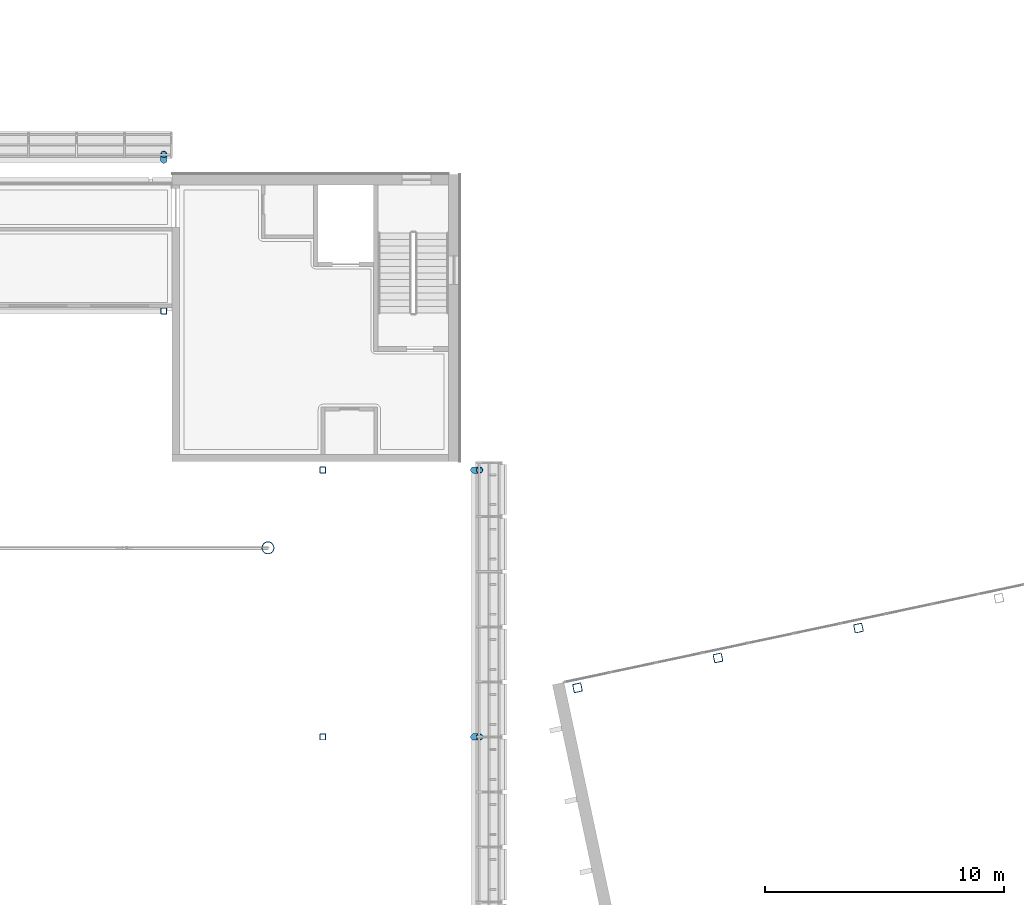
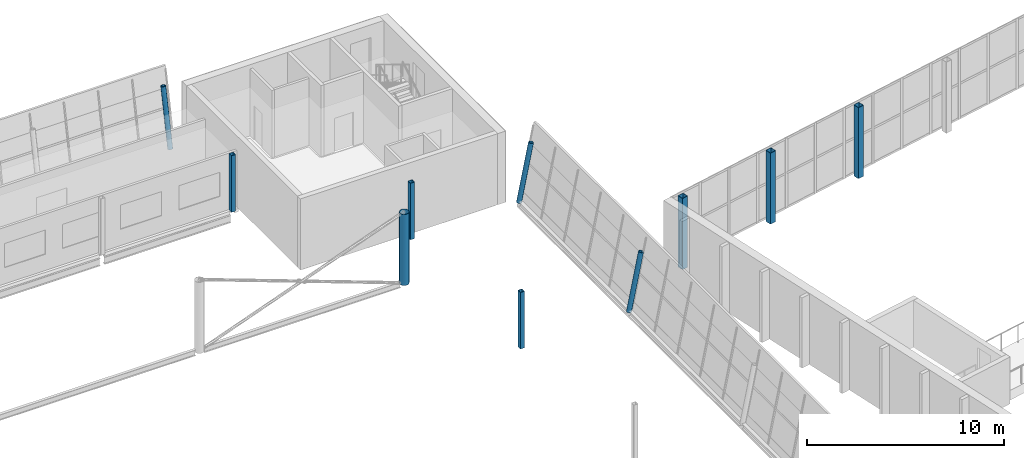
# One storey, part 14 of 95: 10 columns.
"""IFC4 building model written with IfcOpenShell, lengths in metres."""

from ifc_helpers import new_model, si_unit, direction, frame, origin, origin_2d, place, context, subcontext, project, spatial, hollow_rectangle, hollow_circle, extrude, material, material_profile, profile_set, type_object, element, save


model = new_model("IFC4")

# Units and contexts
model_context = context("Model", 3, precision=1e-05, world=origin(), true_north=direction((0.0, 1.0)))
body_context = subcontext(model_context, "Body", "Model", "MODEL_VIEW")
ifc_project = project(units=[si_unit("LENGTHUNIT", "METRE"), si_unit("AREAUNIT", "SQUARE_METRE"), si_unit("VOLUMEUNIT", "CUBIC_METRE"), si_unit("PLANEANGLEUNIT", "RADIAN"), si_unit("MASSUNIT", "GRAM", prefix="KILO")], contexts=[model_context])

# Site, building, storey
site_placement = place(None, origin())
site = spatial("IfcSite", under=ifc_project, at=site_placement, CompositionType="ELEMENT")
building_placement = place(site_placement, origin())
building = spatial("IfcBuilding", under=site, at=building_placement, Name="Windward Yard Aquatics Centre", CompositionType="ELEMENT")
storey_placement = place(building_placement, frame((0.0, 0.0, 9.39990234375)))
storey = spatial("IfcBuildingStorey", under=building, at=storey_placement, Name="L02", CompositionType="ELEMENT", Elevation=9.39990234375)

# Columns
ifc_material = material(Name="Steel ASTM A500 Gr C", Category="steel")
ifc_material_profile_1 = material_profile(ifc_material, hollow_rectangle(XDim=0.355712890625, YDim=0.355712890625, WallThickness=0.015869140625, InnerFilletRadius=0.008056640625, OuterFilletRadius=0.02392578125, at=origin_2d()), Name="HSS356X356X15.9")
ifc_profile_set_1 = profile_set([ifc_material_profile_1], Name="Steel ASTM A500 Gr C")
column_type_1 = type_object("IfcColumnType", Name="D column HSS356X356X15.9", PredefinedType="COLUMN", material=ifc_profile_set_1)
for number, where, z_axis, x_axis, name in (
    (1, (156.929443359375, 74.553466796875, 0.0), (0.0, 0.0, 1.0), (0.978147600734, 0.207911690818, 0.0), "D.COL.1.2.4"),
    (2, (162.79833984375, 75.801025390625, 0.0), (0.0, 0.0, 1.0), (0.978147600734, 0.207911690818, 0.0), "D.COL.2.2.4"),
    (3, (168.667236328125, 77.048583984375, 0.0), (0.0, 0.0, 1.0), (0.978147600734, 0.207911690818, 0.0), "D.COL.3.2.4"),
):
    element("IfcColumn", number, at=place(storey_placement, frame(where, z_axis=z_axis, x_axis=x_axis)), inside=storey, type_object=column_type_1, Name=name, PredefinedType="COLUMN", context=body_context, shape_type="SweptSolid", body=[
        extrude(hollow_rectangle(XDim=0.355712890625, YDim=0.355712890625, WallThickness=0.015869140625, InnerFilletRadius=0.008056640625, OuterFilletRadius=0.02392578125, at=origin_2d()), origin(), (0.0, 0.0, 1.0), 4.400146484375),
    ])
ifc_material_profile_2 = material_profile(ifc_material, hollow_circle(Radius=0.25390625, WallThickness=0.015869140625, at=origin_2d()), Name="HSS508X15.9")
ifc_profile_set_2 = profile_set([ifc_material_profile_2], Name="Steel ASTM A500 Gr C")
column_type_2 = type_object("IfcColumnType", Name="H arch column HSS508X15.9", PredefinedType="COLUMN", material=ifc_profile_set_2)
column_placement = place(storey_placement, frame((144.0, 80.39990234375, 0.0), z_axis=(0.0, 0.0, 1.0), x_axis=(1.0, 0.0, 0.0)))
element("IfcColumn", 4, at=column_placement, inside=storey, type_object=column_type_2, Name="H.AC.N8.L02", PredefinedType="COLUMN", context=body_context, shape_type="SweptSolid", body=[
    extrude(hollow_circle(Radius=0.25390625, WallThickness=0.015869140625, at=origin_2d()), origin(), (0.0, 0.0, 1.0), 4.400146484375),
])
ifc_material_profile_3 = material_profile(ifc_material, hollow_rectangle(XDim=0.25390625, YDim=0.25390625, WallThickness=0.015869140625, InnerFilletRadius=0.008056640625, OuterFilletRadius=0.02392578125, at=origin_2d()), Name="HSS254X254X15.9")
ifc_profile_set_3 = profile_set([ifc_material_profile_3], Name="Steel ASTM A500 Gr C")
column_type_3 = type_object("IfcColumnType", Name="H inner column HSS254X254X15.9", PredefinedType="COLUMN", material=ifc_profile_set_3)
for number, where, z_axis, x_axis, name in (
    (5, (139.64990234375, 90.290283203125, 0.0), (0.0, 0.0, 1.0), (1.0, 0.0, 0.0), "H.IC.N8.L02"),
    (6, (146.290283203125, 72.5, 0.0), (0.0, 0.0, 1.0), (1.0, 0.0, 0.0), "H.IC.E4.L02"),
    (7, (146.290283203125, 83.64990234375, 0.0), (0.0, 0.0, 1.0), (1.0, 0.0, 0.0), "H.IC.E5.L02"),
):
    element("IfcColumn", number, at=place(storey_placement, frame(where, z_axis=z_axis, x_axis=x_axis)), inside=storey, type_object=column_type_3, Name=name, PredefinedType="COLUMN", context=body_context, shape_type="SweptSolid", body=[
        extrude(hollow_rectangle(XDim=0.25390625, YDim=0.25390625, WallThickness=0.015869140625, InnerFilletRadius=0.008056640625, OuterFilletRadius=0.02392578125, at=origin_2d()), origin(), (0.0, 0.0, 1.0), 3.49609375),
    ])
ifc_material_profile_4 = material_profile(ifc_material, hollow_circle(Radius=0.136474609375, WallThickness=0.0126953125, at=origin_2d()), Name="HSS273.1X12.7")
ifc_profile_set_4 = profile_set([ifc_material_profile_4], Name="Steel ASTM A500 Gr C")
column_type_4 = type_object("IfcColumnType", Name="H tier 1 leg HSS273.1X12.7", PredefinedType="COLUMN", material=ifc_profile_set_4)
for number, where, z_axis, x_axis, name in (
    (8, (139.64990234375, 96.59521484375, 0.0), (0.0, 0.19937762145, 0.979922733722), (-1.0, 0.0, 0.0), "H.TL.N8.T1B.L02"),
    (9, (152.59521484375, 72.5, 0.0), (0.19937762145, 0.0, 0.979922733722), (0.0, 1.0, 0.0), "H.TL.E4.T1B.L02"),
    (10, (152.59521484375, 83.64990234375, 0.0), (0.19937762145, 0.0, 0.979922733722), (0.0, 1.0, 0.0), "H.TL.E5.T1B.L02"),
):
    element("IfcColumn", number, at=place(storey_placement, frame(where, z_axis=z_axis, x_axis=x_axis)), inside=storey, type_object=column_type_4, Name=name, PredefinedType="COLUMN", context=body_context, shape_type="SweptSolid", body=[
        extrude(hollow_circle(Radius=0.136474609375, WallThickness=0.0126953125, at=origin_2d()), origin(), (0.0, 0.0, 1.0), 3.5400390625),
    ])

save(model, "model.ifc")
